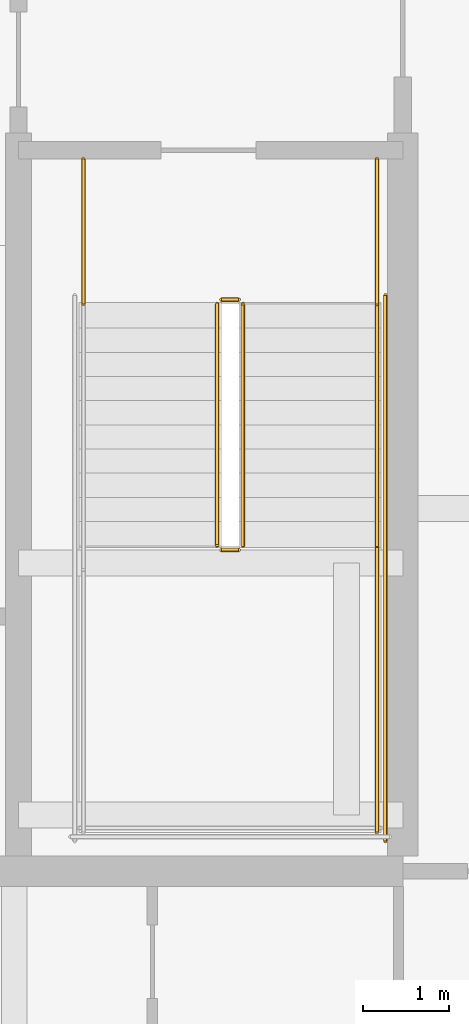
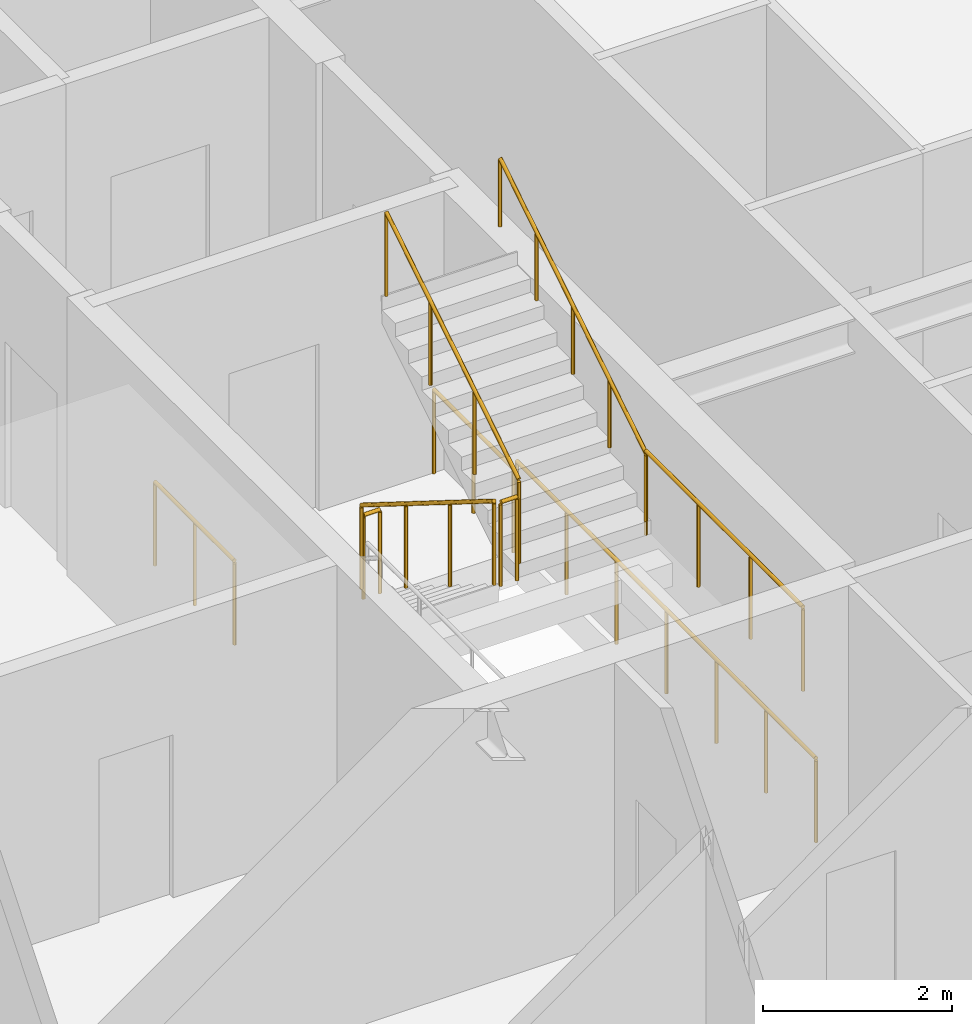
# One storey, part 34 of 35: 9 railings.
"""IFC4 building model written with IfcOpenShell, lengths in metres."""

from ifc_helpers import new_model, si_unit, direction, frame, origin, origin_2d, place, context, subcontext, project, spatial, circle, extrude, material, type_object, element, save


model = new_model("IFC4")

# Units and contexts
model_context = context("Model", 3, precision=1e-05, world=origin(), true_north=direction((0.0, 1.0)))
body_context = subcontext(model_context, "Body", "Model", "MODEL_VIEW")
ifc_project = project(units=[si_unit("LENGTHUNIT", "METRE"), si_unit("AREAUNIT", "SQUARE_METRE"), si_unit("VOLUMEUNIT", "CUBIC_METRE"), si_unit("PLANEANGLEUNIT", "RADIAN"), si_unit("MASSUNIT", "GRAM", prefix="KILO")], contexts=[model_context])

# Site, building, storey
site_placement = place(None, origin())
site = spatial("IfcSite", under=ifc_project, at=site_placement, CompositionType="ELEMENT")
building_placement = place(site_placement, origin())
building = spatial("IfcBuilding", under=site, at=building_placement, Name="Serunith Strait Residences", CompositionType="ELEMENT")
storey_placement = place(building_placement, frame((0.0, 0.0, 210.449951171875)))
storey = spatial("IfcBuildingStorey", under=building, at=storey_placement, Name="L52", CompositionType="ELEMENT", Elevation=210.449951171875)

# Railings
ifc_material = material(Name="Brushed stainless steel 316L", Category="steel")
railing_type_1 = type_object("IfcRailingType", Name="RLG-STAIR-GUARD", PredefinedType="BALUSTRADE", material=ifc_material)
railing_1_placement = place(storey_placement, frame((39.25, 23.3701171875, 0.175048828125)))
element("IfcRailing", 1, at=railing_1_placement, inside=storey, type_object=railing_type_1, Name="L52 ST-2 stair guard 1", PredefinedType="BALUSTRADE", context=body_context, shape_type="SweptSolid", body=[
    extrude(circle(Radius=0.02392578125, at=origin_2d()), frame((0.0, -0.001708984375, 1.0771484375), z_axis=(0.0, -0.848002457836, 0.529992293815), x_axis=(1.0, 0.0, 0.0)), (0.0, 0.0, 1.0), 3.2978515625),
    extrude(circle(Radius=0.02099609375, at=origin_2d()), origin(), (0.0, 0.0, 1.0), 1.050048828125),
    extrude(circle(Radius=0.02099609375, at=origin_2d()), frame((0.0, -0.933349609375, 0.583251953125)), (0.0, 0.0, 1.0), 1.050048828125),
    extrude(circle(Radius=0.02099609375, at=origin_2d()), frame((0.0, -1.86669921875, 1.166748046875)), (0.0, 0.0, 1.0), 1.050048828125),
    extrude(circle(Radius=0.02099609375, at=origin_2d()), frame((0.0, -2.800048828125, 1.75)), (0.0, 0.0, 1.0), 1.050048828125),
])
railing_2_placement = place(storey_placement, frame((39.300048828125, 20.52001953125, 1.925048828125)))
element("IfcRailing", 2, at=railing_2_placement, inside=storey, type_object=railing_type_1, Name="L52 ST-2 stair guard 2", PredefinedType="BALUSTRADE", context=body_context, shape_type="SweptSolid", body=[
    extrude(circle(Radius=0.02392578125, at=origin_2d()), frame((0.001953125, 0.0, 1.076171875), z_axis=(1.0, 0.0, 0.0), x_axis=(0.0, 1.0, 0.0)), (0.0, 0.0, 1.0), 0.196044921875),
    extrude(circle(Radius=0.02099609375, at=origin_2d()), origin(), (0.0, 0.0, 1.0), 1.050048828125),
    extrude(circle(Radius=0.02099609375, at=origin_2d()), frame((0.199951171875, 0.0, 0.0)), (0.0, 0.0, 1.0), 1.050048828125),
])
railing_3_placement = place(storey_placement, frame((41.10009765625, 20.570068359375, 1.925048828125)))
element("IfcRailing", 3, at=railing_3_placement, inside=storey, type_object=railing_type_1, Name="L52 ST-2 stair guard 4", PredefinedType="BALUSTRADE", context=body_context, shape_type="SweptSolid", body=[
    extrude(circle(Radius=0.02392578125, at=origin_2d()), frame((0.0, -0.001953125, 1.076171875), z_axis=(0.0, -1.0, 0.0), x_axis=(1.0, 0.0, 0.0)), (0.0, 0.0, 1.0), 3.316162109375),
    extrude(circle(Radius=0.02099609375, at=origin_2d()), origin(), (0.0, 0.0, 1.0), 1.050048828125),
    extrude(circle(Radius=0.02099609375, at=origin_2d()), frame((0.0, -1.106689453125, 0.0)), (0.0, 0.0, 1.0), 1.050048828125),
    extrude(circle(Radius=0.02099609375, at=origin_2d()), frame((0.0, -2.21337890625, 0.0)), (0.0, 0.0, 1.0), 1.050048828125),
    extrude(circle(Radius=0.02099609375, at=origin_2d()), frame((0.0, -3.320068359375, 0.0)), (0.0, 0.0, 1.0), 1.050048828125),
])
railing_4_placement = place(storey_placement, frame((39.550048828125, 20.570068359375, 2.10009765625)))
element("IfcRailing", 4, at=railing_4_placement, inside=storey, type_object=railing_type_1, Name="L52 ST-2 stair guard 6", PredefinedType="BALUSTRADE", context=body_context, shape_type="SweptSolid", body=[
    extrude(circle(Radius=0.02392578125, at=origin_2d()), frame((0.0, 0.001708984375, 1.0771484375), z_axis=(0.0, 0.848002457836, 0.529992293815), x_axis=(-1.0, 0.0, 0.0)), (0.0, 0.0, 1.0), 3.2978515625),
    extrude(circle(Radius=0.02099609375, at=origin_2d()), origin(), (0.0, 0.0, 1.0), 1.050048828125),
    extrude(circle(Radius=0.02099609375, at=origin_2d()), frame((0.0, 0.933349609375, 0.583251953125)), (0.0, 0.0, 1.0), 1.050048828125),
    extrude(circle(Radius=0.02099609375, at=origin_2d()), frame((0.0, 1.86669921875, 1.166748046875)), (0.0, 0.0, 1.0), 1.050048828125),
    extrude(circle(Radius=0.02099609375, at=origin_2d()), frame((0.0, 2.800048828125, 1.75)), (0.0, 0.0, 1.0), 1.050048828125),
])
railing_5_placement = place(storey_placement, frame((39.300048828125, 23.419921875, 0.0)))
element("IfcRailing", 5, at=railing_5_placement, inside=storey, type_object=railing_type_1, Name="L52 ST-2 stair guard 7", PredefinedType="BALUSTRADE", context=body_context, shape_type="SweptSolid", body=[
    extrude(circle(Radius=0.02392578125, at=origin_2d()), frame((0.001953125, 0.0, 1.076171875), z_axis=(1.0, 0.0, 0.0), x_axis=(0.0, 1.0, 0.0)), (0.0, 0.0, 1.0), 0.196044921875),
    extrude(circle(Radius=0.02099609375, at=origin_2d()), origin(), (0.0, 0.0, 1.0), 1.050048828125),
    extrude(circle(Radius=0.02099609375, at=origin_2d()), frame((0.199951171875, 0.0, 0.0)), (0.0, 0.0, 1.0), 1.050048828125),
])
for number, where, name in (
    (6, (37.699951171875, 25.050048828125, 0.0), "L52 ST-2 stair guard 8"),
    (7, (41.10009765625, 25.050048828125, 0.0), "L52 ST-2 stair guard 9"),
):
    element("IfcRailing", number, at=place(storey_placement, frame(where)), inside=storey, type_object=railing_type_1, Name=name, PredefinedType="BALUSTRADE", context=body_context, shape_type="SweptSolid", body=[
        extrude(circle(Radius=0.02392578125, at=origin_2d()), frame((0.0, -0.001953125, 1.076171875), z_axis=(0.0, -1.0, 0.0), x_axis=(1.0, 0.0, 0.0)), (0.0, 0.0, 1.0), 1.676025390625),
        extrude(circle(Radius=0.02099609375, at=origin_2d()), origin(), (0.0, 0.0, 1.0), 1.050048828125),
        extrude(circle(Radius=0.02099609375, at=origin_2d()), frame((0.0, -0.83984375, 0.0)), (0.0, 0.0, 1.0), 1.050048828125),
        extrude(circle(Radius=0.02099609375, at=origin_2d()), frame((0.0, -1.679931640625, 0.0)), (0.0, 0.0, 1.0), 1.050048828125),
    ])
railing_6_placement = place(storey_placement, frame((41.199951171875, 23.469970703125, 0.0)))
element("IfcRailing", 8, at=railing_6_placement, inside=storey, type_object=railing_type_1, Name="L52 ST-2 stair guard 11", PredefinedType="BALUSTRADE", context=body_context, shape_type="SweptSolid", body=[
    extrude(circle(Radius=0.02392578125, at=origin_2d()), frame((0.0, -0.001953125, 1.076171875), z_axis=(0.0, -1.0, 0.0), x_axis=(1.0, 0.0, 0.0)), (0.0, 0.0, 1.0), 6.316162109375),
    extrude(circle(Radius=0.02099609375, at=origin_2d()), origin(), (0.0, 0.0, 1.0), 1.050048828125),
    extrude(circle(Radius=0.02099609375, at=origin_2d()), frame((0.0, -1.05322265625, 0.0)), (0.0, 0.0, 1.0), 1.050048828125),
    extrude(circle(Radius=0.02099609375, at=origin_2d()), frame((0.0, -2.106689453125, 0.0)), (0.0, 0.0, 1.0), 1.050048828125),
    extrude(circle(Radius=0.02099609375, at=origin_2d()), frame((0.0, -3.16015625, 0.0)), (0.0, 0.0, 1.0), 1.050048828125),
    extrude(circle(Radius=0.02099609375, at=origin_2d()), frame((0.0, -4.21337890625, 0.0)), (0.0, 0.0, 1.0), 1.050048828125),
    extrude(circle(Radius=0.02099609375, at=origin_2d()), frame((0.0, -5.2666015625, 0.0)), (0.0, 0.0, 1.0), 1.050048828125),
    extrude(circle(Radius=0.02099609375, at=origin_2d()), frame((0.0, -6.320068359375, 0.0)), (0.0, 0.0, 1.0), 1.050048828125),
])
railing_type_2 = type_object("IfcRailingType", Name="RLG-STAIR-HR", PredefinedType="HANDRAIL", material=ifc_material)
railing_7_placement = place(storey_placement, frame((41.10009765625, 20.570068359375, 2.10009765625)))
element("IfcRailing", 9, at=railing_7_placement, inside=storey, type_object=railing_type_2, Name="L52 ST-2 stair handrail 2", PredefinedType="HANDRAIL", context=body_context, shape_type="SweptSolid", body=[
    extrude(circle(Radius=0.02392578125, at=origin_2d()), frame((0.0, 0.001708984375, 0.876953125), z_axis=(0.0, 0.847375056783, 0.530994833442), x_axis=(-1.0, 0.0, 0.0)), (0.0, 0.0, 1.0), 3.630615234375),
    extrude(circle(Radius=0.02099609375, at=origin_2d()), origin(), (0.0, 0.0, 1.0), 0.849853515625),
    extrude(circle(Radius=0.02099609375, at=origin_2d()), frame((0.0, 0.77001953125, 0.482421875)), (0.0, 0.0, 1.0), 0.849853515625),
    extrude(circle(Radius=0.02099609375, at=origin_2d()), frame((0.0, 1.5400390625, 0.96484375)), (0.0, 0.0, 1.0), 0.849853515625),
    extrude(circle(Radius=0.02099609375, at=origin_2d()), frame((0.0, 2.309814453125, 1.447509765625)), (0.0, 0.0, 1.0), 0.849853515625),
    extrude(circle(Radius=0.02099609375, at=origin_2d()), frame((0.0, 3.079833984375, 1.929931640625)), (0.0, 0.0, 1.0), 0.849853515625),
])

save(model, "model.ifc")
